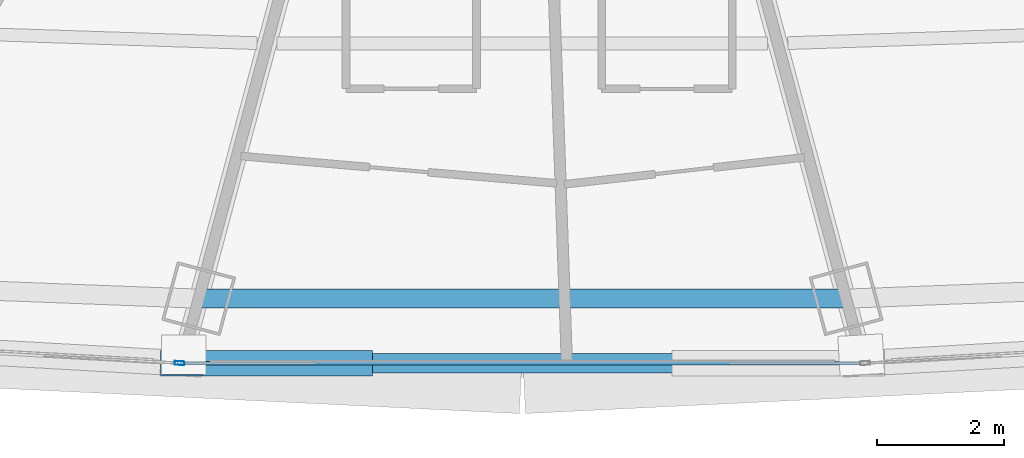
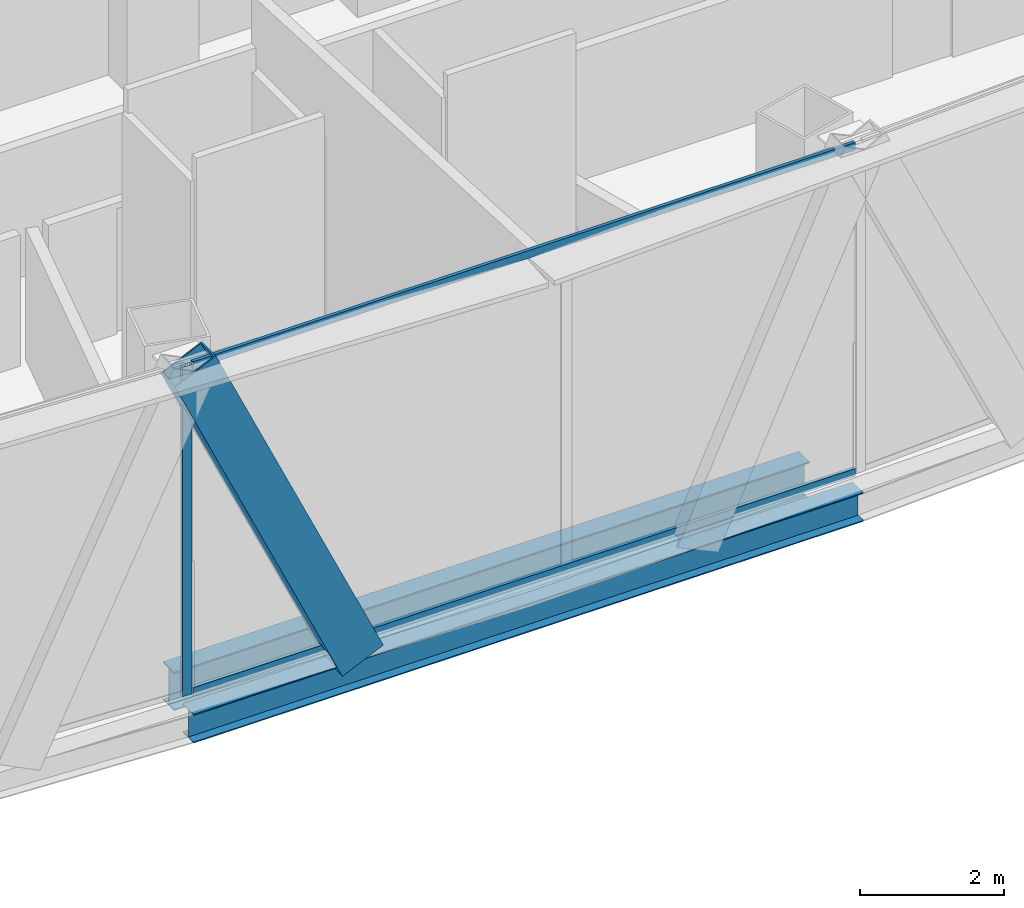
# One storey, part 10 of 40: 4 members, 2 beams, 2 elements without a shape of their own.
"""IFC4 building model written with IfcOpenShell, lengths in metres."""

from ifc_helpers import new_model, si_unit, direction, frame, origin, origin_2d, place, context, subcontext, project, spatial, hollow_rectangle, i_section, extrude, source, transform, mapped, material, layer, layer_set, material_profile, profile_set, type_object, element, aggregate, save


model = new_model("IFC4")

# Units and contexts
model_context = context("Model", 3, precision=1e-05, world=origin(), true_north=direction((0.0, 1.0)))
body_context = subcontext(model_context, "Body", "Model", "MODEL_VIEW")
ifc_project = project(units=[si_unit("LENGTHUNIT", "METRE"), si_unit("AREAUNIT", "SQUARE_METRE"), si_unit("VOLUMEUNIT", "CUBIC_METRE"), si_unit("PLANEANGLEUNIT", "RADIAN"), si_unit("MASSUNIT", "GRAM", prefix="KILO"), si_unit("THERMODYNAMICTEMPERATUREUNIT", "KELVIN"), si_unit("POWERUNIT", "WATT")], contexts=[model_context])

# Site, building, storey
site_placement = place(None, origin())
site = spatial("IfcSite", under=ifc_project, at=site_placement, CompositionType="ELEMENT")
building_placement = place(site_placement, origin())
building = spatial("IfcBuilding", under=site, at=building_placement, Name="Yunzhuo Pagoda Commons", CompositionType="ELEMENT")
storey_placement = place(building_placement, frame((0.0, 0.0, 170.31005859375)))
storey = spatial("IfcBuildingStorey", under=building, at=storey_placement, Name="L43", CompositionType="ELEMENT", Elevation=170.31005859375)

# Beams
ifc_material_1 = material(Name="Structural steel Q355B", Category="steel")
ifc_material_profile_1 = material_profile(ifc_material_1, i_section(OverallWidth=0.300048828125, OverallDepth=0.64990234375, WebThickness=0.012939453125, FlangeThickness=0.02197265625, at=origin_2d()), Name="Structural steel Q355B")
ifc_profile_set_1 = profile_set([ifc_material_profile_1], Name="Structural steel Q355B")
beam_type_1 = type_object("IfcBeamType", Name="B-RG2 Beam HN 650x300x13x22", PredefinedType="BEAM", material=ifc_profile_set_1)
shared_shape_1 = source(origin(), body_context, "Body", "SweptSolid", [
    extrude(i_section(OverallWidth=0.300048828125, OverallDepth=0.64990234375, WebThickness=0.012939453125, FlangeThickness=0.02197265625, at=origin_2d()), origin(), (0.0, 0.0, 1.0), 10.17041015625),
])
beam_1_placement = place(storey_placement, frame((42.914794921875, 14.7216796875, -0.5849609375), z_axis=(1.0, 0.0, 0.0), x_axis=(0.0, 1.0, 0.0)))
element("IfcBeam", 1, at=beam_1_placement, inside=storey, type_object=beam_type_1, Name="L43 column-ring beam 2", PredefinedType="BEAM", context=body_context, shape_type="MappedRepresentation", body=[
    mapped(shared_shape_1, transform((0.0, 0.0, 0.0), scale=1.0)),
])
ifc_material_profile_2 = material_profile(ifc_material_1, i_section(OverallWidth=0.300048828125, OverallDepth=0.488037109375, WebThickness=0.010986328125, FlangeThickness=0.01806640625, at=origin_2d()), Name="Structural steel Q355B")
ifc_profile_set_2 = profile_set([ifc_material_profile_2], Name="Structural steel Q355B")
beam_type_2 = type_object("IfcBeamType", Name="B-SP1 Beam HM 488x300x11x18", PredefinedType="BEAM", material=ifc_profile_set_2)
shared_shape_2 = source(origin(), body_context, "Body", "SweptSolid", [
    extrude(i_section(OverallWidth=0.300048828125, OverallDepth=0.488037109375, WebThickness=0.010986328125, FlangeThickness=0.01806640625, at=origin_2d()), origin(), (0.0, 0.0, 1.0), 10.71435546875),
])
beam_2_placement = place(storey_placement, frame((42.642822265625, 13.707275390625, -0.504150390625), z_axis=(1.0, 0.0, 0.0), x_axis=(0.0, 1.0, 0.0)))
element("IfcBeam", 2, at=beam_2_placement, inside=storey, type_object=beam_type_2, Name="L43 facade edge spandrel beam F1.2", PredefinedType="BEAM", context=body_context, shape_type="MappedRepresentation", body=[
    mapped(shared_shape_2, transform((0.0, 0.0, 0.0), scale=1.0)),
])

# Member
ifc_material_profile_3 = material_profile(ifc_material_1, hollow_rectangle(XDim=0.39990234375, YDim=0.719970703125, WallThickness=0.02392578125, at=origin_2d()), Name="Structural steel Q355B")
ifc_profile_set_3 = profile_set([ifc_material_profile_3], Name="Structural steel Q355B")
member_type_1 = type_object("IfcMemberType", Name="M-DL2 Brace BOX 720x400x24", PredefinedType="BRACE", material=ifc_profile_set_3)
shared_shape_3 = source(origin(), body_context, "Body", "SweptSolid", [
    extrude(hollow_rectangle(XDim=0.39990234375, YDim=0.719970703125, WallThickness=0.02392578125, at=origin_2d()), origin(), (0.0, 0.0, 1.0), 6.415771484375),
])
member_1_placement = place(storey_placement, frame((45.3212890625, 13.707275390625, -0.260009765625), z_axis=(-0.417486584194, 0.0, 0.90868308668), x_axis=(0.0, -1.0, 0.0)))
element("IfcMember", 3, at=member_1_placement, inside=storey, type_object=member_type_1, Name="L43 facade diamond brace F1.2L", PredefinedType="BRACE", context=body_context, shape_type="MappedRepresentation", body=[
    mapped(shared_shape_3, transform((0.0, 0.0, 0.0), scale=1.0)),
])

# Curtain wall, members
ifc_material_2 = material(Name="Anodized aluminium 6063-T6", Category="aluminium")
ifc_layer = layer(ifc_material_2, 0.14990234375)
ifc_layer_set = layer_set([ifc_layer], Name="Anodized aluminium 6063-T6")
curtain_wall_type = type_object("IfcCurtainWallType", Name="CW-MID Mid-Zone Ribbon Curtain Wall", PredefinedType="NOTDEFINED", material=ifc_layer_set)
curtain_wall_1_placement = place(storey_placement, origin())
curtain_wall_1 = element("IfcCurtainWall", 4, at=curtain_wall_1_placement, inside=storey, type_object=curtain_wall_type, Name="L43 curtain wall CW-L43-F1B3", PredefinedType="NOTDEFINED")
ifc_material_profile_4 = material_profile(ifc_material_2, hollow_rectangle(XDim=0.054931640625, YDim=0.1298828125, WallThickness=0.00341796875, at=origin_2d()), Name="Anodized aluminium 6063-T6")
ifc_profile_set_4 = profile_set([ifc_material_profile_4], Name="Anodized aluminium 6063-T6")
member_type_2 = type_object("IfcMemberType", Name="CW-MID-T Transom RHS 130x55x3.5", PredefinedType="USERDEFINED", material=ifc_profile_set_4)
shared_shape_4 = source(origin(), body_context, "Body", "SweptSolid", [
    extrude(hollow_rectangle(XDim=0.054931640625, YDim=0.1298828125, WallThickness=0.00341796875, at=origin_2d()), origin(), (0.0, 0.0, 1.0), 10.59423828125),
])
member_2_placement = place(storey_placement, frame((42.702880859375, 13.707275390625, 0.02734375), z_axis=(1.0, 0.0, 0.0), x_axis=(0.0, 1.0, 0.0)))
member_2 = element("IfcMember", 5, at=member_2_placement, type_object=member_type_2, Name="CW transom 1.1", ObjectType="TRANSOM", PredefinedType="USERDEFINED", context=body_context, shape_type="MappedRepresentation", body=[
    mapped(shared_shape_4, transform((0.0, 0.0, 0.0), scale=1.0)),
])
member_3_placement = place(storey_placement, frame((42.702880859375, 13.707275390625, 5.54248046875), z_axis=(1.0, 0.0, 0.0), x_axis=(0.0, 1.0, 0.0)))
member_3 = element("IfcMember", 6, at=member_3_placement, type_object=member_type_2, Name="CW transom 1.2", ObjectType="TRANSOM", PredefinedType="USERDEFINED", context=body_context, shape_type="MappedRepresentation", body=[
    mapped(shared_shape_4, transform((0.0, 0.0, 0.0), scale=1.0)),
])
aggregate(curtain_wall_1, [member_2, member_3])

# Curtain wall, member
curtain_wall_2_placement = place(storey_placement, origin())
curtain_wall_2 = element("IfcCurtainWall", 7, at=curtain_wall_2_placement, inside=storey, type_object=curtain_wall_type, Name="L43 curtain wall CW-L43-F1B2", PredefinedType="NOTDEFINED")
ifc_material_profile_5 = material_profile(ifc_material_2, hollow_rectangle(XDim=0.06005859375, YDim=0.14990234375, WallThickness=0.00390625, at=origin_2d()), Name="Anodized aluminium 6063-T6")
ifc_profile_set_5 = profile_set([ifc_material_profile_5], Name="Anodized aluminium 6063-T6")
member_type_3 = type_object("IfcMemberType", Name="CW-MID-M Mullion RHS 150x60x4", PredefinedType="MULLION", material=ifc_profile_set_5)
shared_shape_5 = source(origin(), body_context, "Body", "SweptSolid", [
    extrude(hollow_rectangle(XDim=0.06005859375, YDim=0.14990234375, WallThickness=0.00390625, at=origin_2d()), origin(), (0.0, 0.0, 1.0), 5.56982421875),
])
member_4_placement = place(storey_placement, frame((42.613037109375, 13.708984375, 0.0), z_axis=(0.0, 0.0, 1.0), x_axis=(0.056298716731, 0.998413969501, 0.0)))
member_4 = element("IfcMember", 8, at=member_4_placement, type_object=member_type_3, Name="CW mullion 2", PredefinedType="MULLION", context=body_context, shape_type="MappedRepresentation", body=[
    mapped(shared_shape_5, transform((0.0, 0.0, 0.0), scale=1.0)),
])
aggregate(curtain_wall_2, [member_4])

save(model, "model.ifc")
